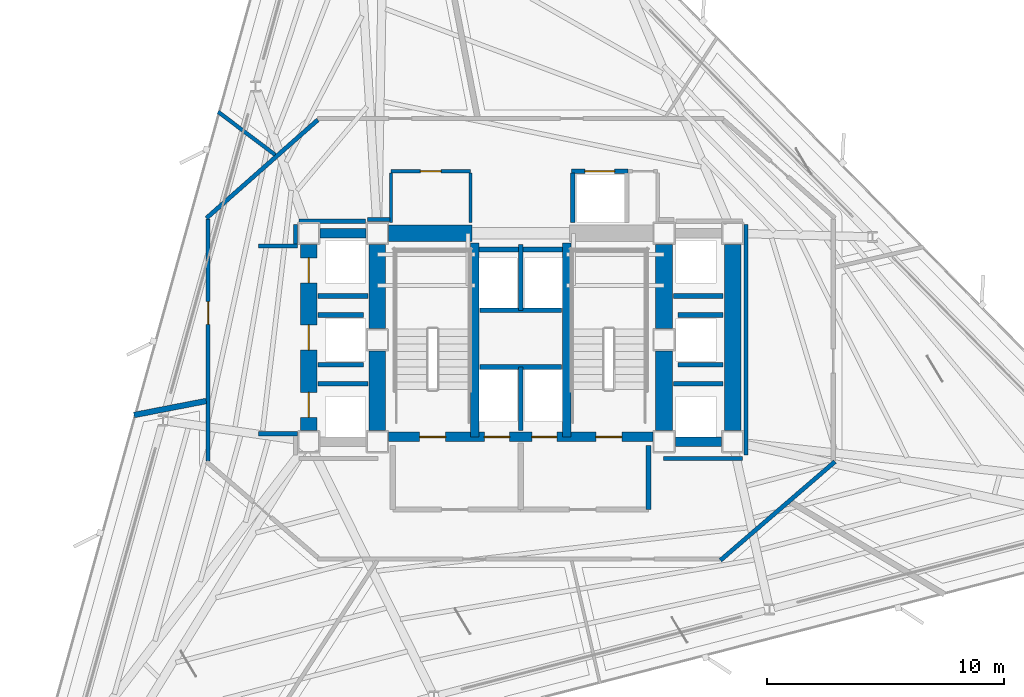
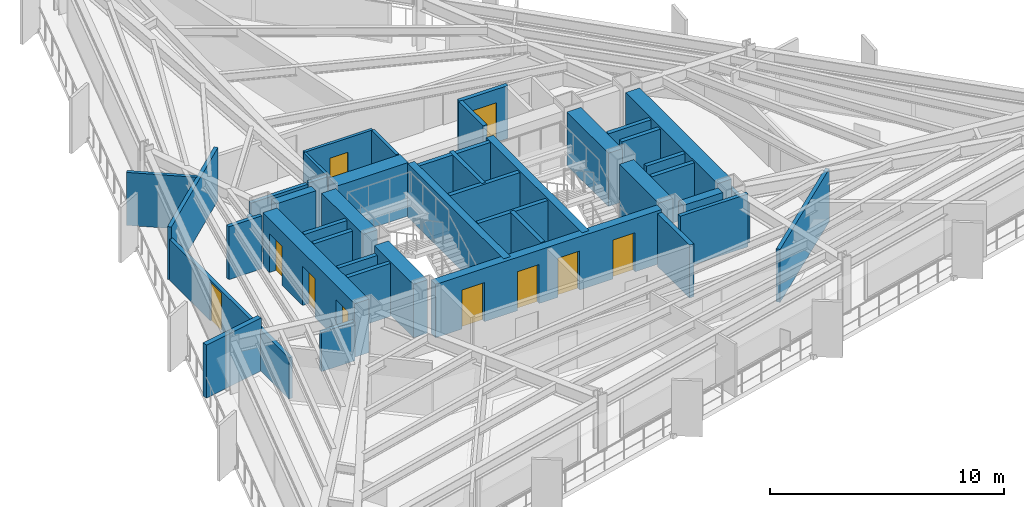
# One storey, part 7 of 11: 43 walls, 10 doors, 10 openings.
"""IFC4 building model written with IfcOpenShell, lengths in metres."""

import ifcopenshell
import ifcopenshell.guid

model = None  # the IFC model being written
_history = None  # IfcOwnerHistory: only IFC2X3 demands one
_inside = {}  # id of a spatial element -> (the spatial element, [elements in it])
_under = {}  # id of a project, library or spatial element -> (it, [spatial elements below it])
_declared = {}  # id of a project -> (the project, [libraries it declares])
_typed = {}  # id of a type object -> (the type object, [elements of that type])
_made_of = {}  # id of a material, layer set ... -> (it, [elements and type objects made of it])


def new_model(schema):
    """Start an empty IFC model of exactly this schema.

    Asked for "IFC4X3", IfcOpenShell would pick the latest addendum, in which some entities
    have other attributes; the version numbers below select the first issue.
    IFC2X3 requires an IfcOwnerHistory on every rooted entity: one is made here for all.
    """
    global model, _history
    if schema == "IFC4X3":
        model = ifcopenshell.file(schema_version=(4, 3, 0, 0))
    else:
        model = ifcopenshell.file(schema=schema)
    _inside.clear()
    _under.clear()
    _declared.clear()
    _typed.clear()
    _made_of.clear()
    _history = None
    if model.schema == "IFC2X3":
        org = make("IfcOrganization", Name="unknown")
        user = make(
            "IfcPersonAndOrganization",
            ThePerson=make("IfcPerson", FamilyName="unknown"),
            TheOrganization=org,
        )
        app = make(
            "IfcApplication",
            ApplicationDeveloper=org,
            Version="unknown",
            ApplicationFullName="unknown",
            ApplicationIdentifier="unknown",
        )
        _history = make(
            "IfcOwnerHistory",
            OwningUser=user,
            OwningApplication=app,
            ChangeAction="ADDED",
            CreationDate=0,
        )
    return model


def make(cls, **values):
    """One entity of the class cls with the attributes given. An attribute that is None is left unset."""
    return model.create_entity(
        cls, **{name: value for name, value in values.items() if value is not None}
    )


def rooted(cls, **values):
    """An entity with a GlobalId (a new one), such as an element, a storey or a relation."""
    return make(cls, GlobalId=ifcopenshell.guid.new(), OwnerHistory=_history, **values)


def si_unit(unit_type, name, prefix=None):
    """IfcSIUnit, for example si_unit("LENGTHUNIT", "METRE", prefix="MILLI")."""
    return make("IfcSIUnit", UnitType=unit_type, Prefix=prefix, Name=name)


def assignment(units):
    """IfcUnitAssignment: the units of a project."""
    return None if units is None else make("IfcUnitAssignment", Units=units)


def point(xyz):
    """IfcCartesianPoint."""
    return None if xyz is None else make("IfcCartesianPoint", Coordinates=xyz)


def direction(xyz):
    """IfcDirection."""
    return None if xyz is None else make("IfcDirection", DirectionRatios=xyz)


def frame(location, z_axis=None, x_axis=None):
    """IfcAxis2Placement3D, a coordinate frame: its origin and axes. An axis left out is left unset."""
    return make(
        "IfcAxis2Placement3D",
        Location=point(location),
        Axis=direction(z_axis),
        RefDirection=direction(x_axis),
    )


def frame_2d(location, x_axis=None):
    """IfcAxis2Placement2D, a coordinate frame in the plane: its origin and x axis."""
    return make(
        "IfcAxis2Placement2D", Location=point(location), RefDirection=direction(x_axis)
    )


def origin():
    """The frame at (0, 0, 0) with its axes left unset."""
    return frame((0.0, 0.0, 0.0))


def place(relative_to, where):
    """IfcLocalPlacement: puts the frame where relative to a parent placement (None: the world)."""
    return make(
        "IfcLocalPlacement", PlacementRelTo=relative_to, RelativePlacement=where
    )


def context(
    kind, dimensions, precision=None, world=None, true_north=None, identifier=None
):
    """IfcGeometricRepresentationContext, for example the 3D "Model" context."""
    return make(
        "IfcGeometricRepresentationContext",
        ContextIdentifier=identifier,
        ContextType=kind,
        CoordinateSpaceDimension=dimensions,
        Precision=precision,
        WorldCoordinateSystem=world,
        TrueNorth=true_north,
    )


def subcontext(parent, identifier, kind, view, scale=None):
    """IfcGeometricRepresentationSubContext, for example "Body" below "Model"."""
    return make(
        "IfcGeometricRepresentationSubContext",
        ContextIdentifier=identifier,
        ContextType=kind,
        ParentContext=parent,
        TargetScale=scale,
        TargetView=view,
    )


def project(units=None, contexts=None):
    """IfcProject with its units and contexts."""
    return rooted(
        "IfcProject",
        Name="project",
        RepresentationContexts=contexts,
        UnitsInContext=assignment(units),
    )


def spatial(cls, under=None, at=None, **own):
    """A site, building, storey or space (cls), placed at a placement, below another one or the project."""
    s = rooted(cls, ObjectPlacement=at, **own)
    if under is not None:
        _under.setdefault(under.id(), (under, []))[1].append(s)
    return s


def profile(cls, at=None, kind="AREA", **sizes):
    """A parametric profile (cls). Its sizes go by their IFC names, for example OverallWidth=200.0."""
    return make(cls, ProfileType=kind, Position=at, **sizes)


def rectangle(**sizes):
    """IfcRectangleProfileDef."""
    return profile("IfcRectangleProfileDef", **sizes)


def extrude(swept, where, along, depth):
    """IfcExtrudedAreaSolid: the profile swept, set in the frame where, extruded along a direction by depth."""
    return make(
        "IfcExtrudedAreaSolid",
        SweptArea=swept,
        Position=where,
        ExtrudedDirection=direction(along),
        Depth=depth,
    )


def shape(context_of_items, identifier, shape_type, items):
    """IfcShapeRepresentation: the items that make up one representation, for example the "Body"."""
    return make(
        "IfcShapeRepresentation",
        ContextOfItems=context_of_items,
        RepresentationIdentifier=identifier,
        RepresentationType=shape_type,
        Items=items,
    )


def material(Name=None, Category=None):
    """IfcMaterial."""
    return make("IfcMaterial", Name=Name, Category=Category)


def layer(
    of_material, thickness, ventilated=None, Name=None, Category=None, Priority=None
):
    """IfcMaterialLayer: one layer of a wall or slab, of a material (None: an air gap)."""
    return make(
        "IfcMaterialLayer",
        Material=of_material,
        LayerThickness=thickness,
        IsVentilated=ventilated,
        Name=Name,
        Category=Category,
        Priority=Priority,
    )


def layer_set(layers, Name=None):
    """IfcMaterialLayerSet."""
    return make("IfcMaterialLayerSet", MaterialLayers=layers, LayerSetName=Name)


def made_of(thing, what):
    """Note that an element or type object is made of a material, layer set ...; save() writes the relation."""
    if what is not None:
        _made_of.setdefault(what.id(), (what, []))[1].append(thing)
    return thing


def type_object(cls, material=None, **own):
    """A type object (cls), such as IfcWallType, which elements share."""
    return made_of(rooted(cls, **own), material)


def element(
    cls,
    number,
    at=None,
    inside=None,
    cuts=None,
    type_object=None,
    material=None,
    context=None,
    identifier="Body",
    shape_type=None,
    held_by="IfcProductDefinitionShape",
    body=None,
    shapes=None,
    **own,
):
    """One element of the class cls, such as IfcWall. Its Tag is "e" and its number.

    at: its placement. inside: the storey or other place that contains it. cuts: it is an
    opening in that element (IfcRelVoidsElement). A single representation is given by context,
    identifier, shape_type and body (its items); several are given by shapes. held_by: the class
    of the entity that holds the representations. save() writes the other relations.
    """
    e = rooted(cls, Tag="e%d" % number, ObjectPlacement=at, **own)
    if body is not None:
        shapes = [shape(context, identifier, shape_type, body)]
    if shapes is not None:
        e.Representation = make(held_by, Representations=shapes)
    if inside is not None:
        _inside.setdefault(inside.id(), (inside, []))[1].append(e)
    if cuts is not None:
        rooted(
            "IfcRelVoidsElement", RelatingBuildingElement=cuts, RelatedOpeningElement=e
        )
    if type_object is not None:
        _typed.setdefault(type_object.id(), (type_object, []))[1].append(e)
    return made_of(e, material)


def fill(opening, filler):
    """IfcRelFillsElement: the door or window that sits in an opening."""
    return rooted(
        "IfcRelFillsElement",
        RelatingOpeningElement=opening,
        RelatedBuildingElement=filler,
    )


def aggregate(whole, parts):
    """IfcRelAggregates: a whole, such as a stair, and the parts it consists of."""
    return rooted("IfcRelAggregates", RelatingObject=whole, RelatedObjects=parts)


def save(model, path):
    """Write the relations noted so far, then the file.

    IfcRelAggregates (storeys below a building ...), IfcRelContainedInSpatialStructure (elements
    in a storey), IfcRelDefinesByType, IfcRelAssociatesMaterial and IfcRelDeclares: one each for
    every whole, place, type object, material and project.
    """
    for whole, parts in _under.values():
        aggregate(whole, parts)
    for where, things in _inside.values():
        rooted(
            "IfcRelContainedInSpatialStructure",
            RelatedElements=things,
            RelatingStructure=where,
        )
    for kind, things in _typed.values():
        rooted("IfcRelDefinesByType", RelatedObjects=things, RelatingType=kind)
    for what, things in _made_of.values():
        rooted("IfcRelAssociatesMaterial", RelatedObjects=things, RelatingMaterial=what)
    for by, libraries in _declared.values():
        rooted("IfcRelDeclares", RelatingContext=by, RelatedDefinitions=libraries)
    model.write(path)


model = new_model("IFC4")

# Units and contexts
model_context = context("Model", 3, precision=1e-05, world=origin(), true_north=direction((0.0, 1.0)))
body_context = subcontext(model_context, "Body", "Model", "MODEL_VIEW")
ifc_project = project(units=[si_unit("LENGTHUNIT", "METRE"), si_unit("AREAUNIT", "SQUARE_METRE"), si_unit("VOLUMEUNIT", "CUBIC_METRE"), si_unit("PLANEANGLEUNIT", "RADIAN"), si_unit("MASSUNIT", "GRAM", prefix="KILO")], contexts=[model_context])

# Site, building, storey
site_placement = place(None, origin())
site = spatial("IfcSite", under=ifc_project, at=site_placement, CompositionType="ELEMENT")
building_placement = place(site_placement, origin())
building = spatial("IfcBuilding", under=site, at=building_placement, Name="Rocaltana Carrier Exchange", CompositionType="ELEMENT")
storey_placement = place(building_placement, frame((0.0, 0.0, 82.56005859375)))
storey = spatial("IfcBuildingStorey", under=building, at=storey_placement, Name="L25", CompositionType="ELEMENT", Elevation=82.56005859375)

# Walls
ifc_material_1 = material(Name="Double Acoustic Gypsum Partition", Category="gypsum")
ifc_layer_1 = layer(ifc_material_1, 0.159912109375)
ifc_layer_set_1 = layer_set([ifc_layer_1], Name="Double Acoustic Gypsum Partition")
wall_type_1 = type_object("IfcWallType", Name="Acoustic Studio Partition 160 EI60", PredefinedType="PARTITIONING", material=ifc_layer_set_1)
wall_1_placement = place(storey_placement, frame((-10.364501953125, 7.810302734375, 0.0), z_axis=(0.0, 0.0, 1.0), x_axis=(-0.79865006228, 0.601795711201, 0.0)))
element("IfcWall", 1, at=wall_1_placement, inside=storey, type_object=wall_type_1, Name="L25 Suite Divider Wall D8", PredefinedType="PARTITIONING", context=body_context, shape_type="SweptSolid", body=[
    extrude(rectangle(XDim=3.021240234375, YDim=0.159912109375, at=frame_2d((1.5107421875, 0.0))), origin(), (0.0, 0.0, 1.0), 2.762939453125),
])
ifc_material_2 = material(Name="Concrete C50/60", Category="concrete")
ifc_layer_2 = layer(ifc_material_2, 0.35009765625)
ifc_layer_set_2 = layer_set([ifc_layer_2], Name="Concrete C50/60")
wall_type_2 = type_object("IfcWallType", Name="Core Internal Shear Wall 350", PredefinedType="SHEAR", material=ifc_layer_set_2)
for number, where, z_axis, x_axis, name in (
    (2, (-1.93994140625, -4.10009765625, 0.0), (0.0, 0.0, 1.0), (0.0, 1.0, 0.0), "L25 Core Shear Wall CW-STW"),
    (3, (1.93994140625, -4.10009765625, 0.0), (0.0, 0.0, 1.0), (0.0, 1.0, 0.0), "L25 Core Shear Wall CW-STE"),
):
    element("IfcWall", number, at=place(storey_placement, frame(where, z_axis=z_axis, x_axis=x_axis)), inside=storey, type_object=wall_type_2, Name=name, PredefinedType="SHEAR", context=body_context, shape_type="SweptSolid", body=[
        extrude(rectangle(XDim=8.2001953125, YDim=0.35009765625, at=frame_2d((4.10009765625, 0.0))), origin(), (0.0, 0.0, 1.0), 2.787841796875),
    ])

# Wall, openings, doors
ifc_material_3 = material(Name="Concrete C50/60", Category="concrete")
ifc_layer_3 = layer(ifc_material_3, 0.39990234375)
ifc_layer_set_3 = layer_set([ifc_layer_3], Name="Concrete C50/60")
wall_type_3 = type_object("IfcWallType", Name="Core Internal Shear Wall 400", PredefinedType="SHEAR", material=ifc_layer_set_3)
wall_2_placement = place(storey_placement, frame((-5.574951171875, -4.10009765625, 0.0), z_axis=(0.0, 0.0, 1.0), x_axis=(1.0, 0.0, 0.0)))
wall_2 = element("IfcWall", 4, at=wall_2_placement, inside=storey, type_object=wall_type_3, Name="L25 Core Shear Wall CW-S", PredefinedType="SHEAR", context=body_context, shape_type="SweptSolid", body=[
    extrude(rectangle(XDim=11.14990234375, YDim=0.39990234375, at=frame_2d((5.574951171875, 0.0))), origin(), (0.0, 0.0, 1.0), 2.787841796875),
])
opening_1_placement = place(wall_2_placement, frame((1.304931640625, 0.0, 0.0)))
opening_1 = element("IfcOpeningElement", 5, at=opening_1_placement, cuts=wall_2, Name="Opening D-ST110", PredefinedType="OPENING", context=body_context, shape_type="SweptSolid", body=[
    extrude(rectangle(XDim=1.10009765625, YDim=2.0400390625, at=frame_2d((0.550048828125, 1.02001953125))), frame((0.0, 0.2099609375, 0.0), z_axis=(0.0, -1.0, 0.0), x_axis=(1.0, 0.0, 0.0)), (0.0, 0.0, 1.0), 0.419921875),
])
opening_2_placement = place(wall_2_placement, frame((8.7451171875, 0.0, 0.0)))
opening_2 = element("IfcOpeningElement", 6, at=opening_2_placement, cuts=wall_2, Name="Opening D-ST110", PredefinedType="OPENING", context=body_context, shape_type="SweptSolid", body=[
    extrude(rectangle(XDim=1.10009765625, YDim=2.0400390625, at=frame_2d((0.550048828125, 1.02001953125))), frame((0.0, 0.2099609375, 0.0), z_axis=(0.0, -1.0, 0.0), x_axis=(1.0, 0.0, 0.0)), (0.0, 0.0, 1.0), 0.419921875),
])
opening_3_placement = place(wall_2_placement, frame((4.044921875, 0.0, 0.0)))
opening_3 = element("IfcOpeningElement", 7, at=opening_3_placement, cuts=wall_2, Name="Opening LD-110", PredefinedType="OPENING", context=body_context, shape_type="SweptSolid", body=[
    extrude(rectangle(XDim=1.06005859375, YDim=2.0400390625, at=frame_2d((0.530029296875, 1.02001953125))), frame((0.0, 0.2099609375, 0.0), z_axis=(0.0, -1.0, 0.0), x_axis=(1.0, 0.0, 0.0)), (0.0, 0.0, 1.0), 0.419921875),
])
opening_4_placement = place(wall_2_placement, frame((6.044921875, 0.0, 0.0)))
opening_4 = element("IfcOpeningElement", 8, at=opening_4_placement, cuts=wall_2, Name="Opening LD-110", PredefinedType="OPENING", context=body_context, shape_type="SweptSolid", body=[
    extrude(rectangle(XDim=1.06005859375, YDim=2.0400390625, at=frame_2d((0.530029296875, 1.02001953125))), frame((0.0, 0.2099609375, 0.0), z_axis=(0.0, -1.0, 0.0), x_axis=(1.0, 0.0, 0.0)), (0.0, 0.0, 1.0), 0.419921875),
])
ifc_material_4 = material(Name="Hollow Metal Fire Door Assembly", Category="steel")
door_type_1 = type_object("IfcDoorType", Name="Exit Stair Fire Door 1100x2040 FD90S", OperationType="NOTDEFINED", PredefinedType="DOOR", material=ifc_material_4)
door_1_placement = place(opening_1_placement, origin())
door_1 = element("IfcDoor", 9, at=door_1_placement, inside=storey, type_object=door_type_1, Name="L25 Exit Stair ST1 Fire Door", OperationType="SINGLE_SWING_RIGHT", OverallHeight=2.0400390625, OverallWidth=1.10009765625, PredefinedType="DOOR", context=body_context, shape_type="SweptSolid", body=[
    extrude(rectangle(XDim=1.10009765625, YDim=2.0400390625, at=frame_2d((0.550048828125, 1.02001953125))), frame((0.0, 0.02490234375, 0.0), z_axis=(0.0, -1.0, 0.0), x_axis=(1.0, 0.0, 0.0)), (0.0, 0.0, 1.0), 0.050048828125),
])
fill(opening_1, door_1)
door_2_placement = place(opening_2_placement, origin())
door_2 = element("IfcDoor", 10, at=door_2_placement, inside=storey, type_object=door_type_1, Name="L25 Exit Stair ST2 Fire Door", OperationType="SINGLE_SWING_LEFT", OverallHeight=2.0400390625, OverallWidth=1.10009765625, PredefinedType="DOOR", context=body_context, shape_type="SweptSolid", body=[
    extrude(rectangle(XDim=1.10009765625, YDim=2.0400390625, at=frame_2d((0.550048828125, 1.02001953125))), frame((0.0, 0.02490234375, 0.0), z_axis=(0.0, -1.0, 0.0), x_axis=(1.0, 0.0, 0.0)), (0.0, 0.0, 1.0), 0.050048828125),
])
fill(opening_2, door_2)
ifc_material_5 = material(Name="Brushed Stainless Sliding Door Leaf", Category="steel")
door_type_2 = type_object("IfcDoorType", Name="Lift Landing Sliding Door 1060x2040", OperationType="NOTDEFINED", PredefinedType="DOOR", material=ifc_material_5)
door_3_placement = place(opening_3_placement, origin())
door_3 = element("IfcDoor", 11, at=door_3_placement, inside=storey, type_object=door_type_2, Name="L25 Firefighting Lift FFL1 Landing Door", OperationType="SLIDING_TO_LEFT", OverallHeight=2.0400390625, OverallWidth=1.06005859375, PredefinedType="DOOR", context=body_context, shape_type="SweptSolid", body=[
    extrude(rectangle(XDim=1.06005859375, YDim=2.0400390625, at=frame_2d((0.530029296875, 1.02001953125))), frame((0.0, 0.02490234375, 0.0), z_axis=(0.0, -1.0, 0.0), x_axis=(1.0, 0.0, 0.0)), (0.0, 0.0, 1.0), 0.050048828125),
])
fill(opening_3, door_3)
door_4_placement = place(opening_4_placement, origin())
door_4 = element("IfcDoor", 12, at=door_4_placement, inside=storey, type_object=door_type_2, Name="L25 Firefighting Lift FFL2 Landing Door", OperationType="SLIDING_TO_RIGHT", OverallHeight=2.0400390625, OverallWidth=1.06005859375, PredefinedType="DOOR", context=body_context, shape_type="SweptSolid", body=[
    extrude(rectangle(XDim=1.06005859375, YDim=2.0400390625, at=frame_2d((0.530029296875, 1.02001953125))), frame((0.0, 0.02490234375, 0.0), z_axis=(0.0, -1.0, 0.0), x_axis=(1.0, 0.0, 0.0)), (0.0, 0.0, 1.0), 0.050048828125),
])
fill(opening_4, door_4)

# Walls
for number, where, z_axis, x_axis, name in (
    (13, (-8.47509765625, 4.5, 0.0), (0.0, 0.0, 1.0), (1.0, 0.0, 0.0), "L25 Core Shear Wall CW-WWN"),
    (14, (6.52490234375, -4.300048828125, 0.0), (0.0, 0.0, 1.0), (1.0, 0.0, 0.0), "L25 Core Shear Wall CW-EWS"),
):
    element("IfcWall", number, at=place(storey_placement, frame(where, z_axis=z_axis, x_axis=x_axis)), inside=storey, type_object=wall_type_3, Name=name, PredefinedType="SHEAR", context=body_context, shape_type="SweptSolid", body=[
        extrude(rectangle(XDim=1.9501953125, YDim=0.39990234375, at=frame_2d((0.97509765625, 0.0))), origin(), (0.0, 0.0, 1.0), 2.787841796875),
    ])
ifc_material_6 = material(Name="Concrete C60/75", Category="concrete")
ifc_layer_4 = layer(ifc_material_6, 0.699951171875)
ifc_layer_set_4 = layer_set([ifc_layer_4], Name="Concrete C60/75")
wall_type_4 = type_object("IfcWallType", Name="Core Shear Wall 700", PredefinedType="SHEAR", material=ifc_layer_set_4)
wall_3_placement = place(storey_placement, frame((-6.050048828125, 0.47509765625, 0.0), z_axis=(0.0, 0.0, 1.0), x_axis=(0.0, 1.0, 0.0)))
element("IfcWall", 15, at=wall_3_placement, inside=storey, type_object=wall_type_4, Name="L25 Core Shear Wall CW-WN", PredefinedType="SHEAR", context=body_context, shape_type="SweptSolid", body=[
    extrude(rectangle(XDim=3.5498046875, YDim=0.699951171875, at=frame_2d((1.77490234375, 0.0))), origin(), (0.0, 0.0, 1.0), 2.787841796875),
])
wall_4_placement = place(storey_placement, frame((-6.050048828125, -3.824951171875, 0.0), z_axis=(0.0, 0.0, 1.0), x_axis=(0.0, 1.0, 0.0)))
element("IfcWall", 16, at=wall_4_placement, inside=storey, type_object=wall_type_4, Name="L25 Core Shear Wall CW-WS", PredefinedType="SHEAR", context=body_context, shape_type="SweptSolid", body=[
    extrude(rectangle(XDim=3.349853515625, YDim=0.699951171875, at=frame_2d((1.6748046875, 0.0))), origin(), (0.0, 0.0, 1.0), 2.787841796875),
])
wall_5_placement = place(storey_placement, frame((6.050048828125, 0.47509765625, 0.0), z_axis=(0.0, 0.0, 1.0), x_axis=(0.0, 1.0, 0.0)))
element("IfcWall", 17, at=wall_5_placement, inside=storey, type_object=wall_type_4, Name="L25 Core Shear Wall CW-EN", PredefinedType="SHEAR", context=body_context, shape_type="SweptSolid", body=[
    extrude(rectangle(XDim=3.5498046875, YDim=0.699951171875, at=frame_2d((1.77490234375, 0.0))), origin(), (0.0, 0.0, 1.0), 2.787841796875),
])
wall_6_placement = place(storey_placement, frame((6.050048828125, -3.824951171875, 0.0), z_axis=(0.0, 0.0, 1.0), x_axis=(0.0, 1.0, 0.0)))
element("IfcWall", 18, at=wall_6_placement, inside=storey, type_object=wall_type_4, Name="L25 Core Shear Wall CW-ES", PredefinedType="SHEAR", context=body_context, shape_type="SweptSolid", body=[
    extrude(rectangle(XDim=3.349853515625, YDim=0.699951171875, at=frame_2d((1.6748046875, 0.0))), origin(), (0.0, 0.0, 1.0), 2.787841796875),
])
wall_7_placement = place(storey_placement, frame((-5.574951171875, 4.5, 0.0), z_axis=(0.0, 0.0, 1.0), x_axis=(1.0, 0.0, 0.0)))
element("IfcWall", 19, at=wall_7_placement, inside=storey, type_object=wall_type_4, Name="L25 Core Shear Wall CW-N1", PredefinedType="SHEAR", context=body_context, shape_type="SweptSolid", body=[
    extrude(rectangle(XDim=3.52490234375, YDim=0.699951171875, at=frame_2d((1.762451171875, 0.0))), origin(), (0.0, 0.0, 1.0), 2.787841796875),
])

# Wall, openings, doors
wall_8_placement = place(storey_placement, frame((-8.949951171875, -3.824951171875, 0.0), z_axis=(0.0, 0.0, 1.0), x_axis=(0.0, 1.0, 0.0)))
wall_8 = element("IfcWall", 20, at=wall_8_placement, inside=storey, type_object=wall_type_4, Name="L25 Core Shear Wall CW-WW", PredefinedType="SHEAR", context=body_context, shape_type="SweptSolid", body=[
    extrude(rectangle(XDim=7.849853515625, YDim=0.699951171875, at=frame_2d((3.9248046875, 0.0))), origin(), (0.0, 0.0, 1.0), 2.787841796875),
])
opening_5_placement = place(wall_8_placement, frame((0.550048828125, 0.0, 0.0)))
opening_5 = element("IfcOpeningElement", 21, at=opening_5_placement, cuts=wall_8, Name="Opening LD-110", PredefinedType="OPENING", context=body_context, shape_type="SweptSolid", body=[
    extrude(rectangle(XDim=1.06005859375, YDim=2.0400390625, at=frame_2d((0.530029296875, 1.02001953125))), frame((0.0, 0.35986328125, 0.0), z_axis=(0.0, -1.0, 0.0), x_axis=(1.0, 0.0, 0.0)), (0.0, 0.0, 1.0), 0.719970703125),
])
opening_6_placement = place(wall_8_placement, frame((3.39501953125, 0.0, 0.0)))
opening_6 = element("IfcOpeningElement", 22, at=opening_6_placement, cuts=wall_8, Name="Opening LD-110", PredefinedType="OPENING", context=body_context, shape_type="SweptSolid", body=[
    extrude(rectangle(XDim=1.06005859375, YDim=2.0400390625, at=frame_2d((0.530029296875, 1.02001953125))), frame((0.0, 0.35986328125, 0.0), z_axis=(0.0, -1.0, 0.0), x_axis=(1.0, 0.0, 0.0)), (0.0, 0.0, 1.0), 0.719970703125),
])
opening_7_placement = place(wall_8_placement, frame((6.22998046875, 0.0, 0.0)))
opening_7 = element("IfcOpeningElement", 23, at=opening_7_placement, cuts=wall_8, Name="Opening LD-110", PredefinedType="OPENING", context=body_context, shape_type="SweptSolid", body=[
    extrude(rectangle(XDim=1.06005859375, YDim=2.0400390625, at=frame_2d((0.530029296875, 1.02001953125))), frame((0.0, 0.35986328125, 0.0), z_axis=(0.0, -1.0, 0.0), x_axis=(1.0, 0.0, 0.0)), (0.0, 0.0, 1.0), 0.719970703125),
])
door_5_placement = place(opening_5_placement, origin())
door_5 = element("IfcDoor", 24, at=door_5_placement, inside=storey, type_object=door_type_2, Name="L25 Low-Rise Lift PL-L1 Landing Door", OperationType="SLIDING_TO_LEFT", OverallHeight=2.0400390625, OverallWidth=1.06005859375, PredefinedType="DOOR", context=body_context, shape_type="SweptSolid", body=[
    extrude(rectangle(XDim=1.06005859375, YDim=2.0400390625, at=frame_2d((0.530029296875, 1.02001953125))), frame((0.0, 0.02490234375, 0.0), z_axis=(0.0, -1.0, 0.0), x_axis=(1.0, 0.0, 0.0)), (0.0, 0.0, 1.0), 0.050048828125),
])
fill(opening_5, door_5)
door_6_placement = place(opening_6_placement, origin())
door_6 = element("IfcDoor", 25, at=door_6_placement, inside=storey, type_object=door_type_2, Name="L25 Low-Rise Lift PL-L2 Landing Door", OperationType="SLIDING_TO_RIGHT", OverallHeight=2.0400390625, OverallWidth=1.06005859375, PredefinedType="DOOR", context=body_context, shape_type="SweptSolid", body=[
    extrude(rectangle(XDim=1.06005859375, YDim=2.0400390625, at=frame_2d((0.530029296875, 1.02001953125))), frame((0.0, 0.02490234375, 0.0), z_axis=(0.0, -1.0, 0.0), x_axis=(1.0, 0.0, 0.0)), (0.0, 0.0, 1.0), 0.050048828125),
])
fill(opening_6, door_6)
door_7_placement = place(opening_7_placement, origin())
door_7 = element("IfcDoor", 26, at=door_7_placement, inside=storey, type_object=door_type_2, Name="L25 Low-Rise Lift PL-L3 Landing Door", OperationType="SLIDING_TO_LEFT", OverallHeight=2.0400390625, OverallWidth=1.06005859375, PredefinedType="DOOR", context=body_context, shape_type="SweptSolid", body=[
    extrude(rectangle(XDim=1.06005859375, YDim=2.0400390625, at=frame_2d((0.530029296875, 1.02001953125))), frame((0.0, 0.02490234375, 0.0), z_axis=(0.0, -1.0, 0.0), x_axis=(1.0, 0.0, 0.0)), (0.0, 0.0, 1.0), 0.050048828125),
])
fill(opening_7, door_7)

# Walls
wall_9_placement = place(storey_placement, frame((8.949951171875, -3.824951171875, 0.0), z_axis=(0.0, 0.0, 1.0), x_axis=(0.0, 1.0, 0.0)))
element("IfcWall", 27, at=wall_9_placement, inside=storey, type_object=wall_type_4, Name="L25 Core Shear Wall CW-EW", PredefinedType="SHEAR", context=body_context, shape_type="SweptSolid", body=[
    extrude(rectangle(XDim=7.849853515625, YDim=0.699951171875, at=frame_2d((3.9248046875, 0.0))), origin(), (0.0, 0.0, 1.0), 2.787841796875),
])
ifc_material_7 = material(Name="Gypsum & Steel Stud Partition", Category="steel")
ifc_layer_5 = layer(ifc_material_7, 0.179931640625)
ifc_layer_set_5 = layer_set([ifc_layer_5], Name="Gypsum & Steel Stud Partition")
wall_type_5 = type_object("IfcWallType", Name="Corridor Fire Partition 180 EI60", PredefinedType="PARTITIONING", material=ifc_layer_set_5)
wall_10_placement = place(storey_placement, frame((13.268310546875, -5.14111328125, 0.0), z_axis=(0.0, 0.0, 1.0), x_axis=(-0.757534501725, -0.65279512766, 0.0)))
element("IfcWall", 28, at=wall_10_placement, inside=storey, type_object=wall_type_5, Name="L25 Corridor Partition 4", PredefinedType="PARTITIONING", context=body_context, shape_type="SweptSolid", body=[
    extrude(rectangle(XDim=6.384521484375, YDim=0.179931640625, at=frame_2d((3.1923828125, 0.0))), origin(), (0.0, 0.0, 1.0), 2.762939453125),
])

# Wall, opening, door
wall_11_placement = place(storey_placement, frame((-13.199951171875, -5.110107421875, 0.0), z_axis=(0.0, 0.0, 1.0), x_axis=(0.0, 1.0, 0.0)))
wall_11 = element("IfcWall", 29, at=wall_11_placement, inside=storey, type_object=wall_type_5, Name="L25 Corridor Partition 7", PredefinedType="PARTITIONING", context=body_context, shape_type="SweptSolid", body=[
    extrude(rectangle(XDim=10.22021484375, YDim=0.179931640625, at=frame_2d((5.110107421875, 0.0))), origin(), (0.0, 0.0, 1.0), 2.142822265625),
])
opening_8_placement = place(wall_11_placement, frame((5.764892578125, 0.0, 0.0)))
opening_8 = element("IfcOpeningElement", 30, at=opening_8_placement, cuts=wall_11, Name="Opening D-RM098", PredefinedType="OPENING", context=body_context, shape_type="SweptSolid", body=[
    extrude(rectangle(XDim=0.9599609375, YDim=2.02001953125, at=frame_2d((0.47998046875, 1.010009765625))), frame((0.0, 0.099853515625, 0.0), z_axis=(0.0, -1.0, 0.0), x_axis=(1.0, 0.0, 0.0)), (0.0, 0.0, 1.0), 0.199951171875),
])
ifc_material_8 = material(Name="Engineered Hardwood Timber", Category="wood")
door_type_3 = type_object("IfcDoorType", Name="Workspace Single Door 960x2020", OperationType="NOTDEFINED", PredefinedType="DOOR", material=ifc_material_8)
door_8_placement = place(opening_8_placement, origin())
door_8 = element("IfcDoor", 31, at=door_8_placement, inside=storey, type_object=door_type_3, Name="L25 Incident Briefing Room Entrance Door", OperationType="SINGLE_SWING_LEFT", OverallHeight=2.02001953125, OverallWidth=0.9599609375, PredefinedType="DOOR", context=body_context, shape_type="SweptSolid", body=[
    extrude(rectangle(XDim=0.9599609375, YDim=2.02001953125, at=frame_2d((0.47998046875, 1.010009765625))), frame((0.0, 0.02490234375, 0.0), z_axis=(0.0, -1.0, 0.0), x_axis=(1.0, 0.0, 0.0)), (0.0, 0.0, 1.0), 0.050048828125),
])
fill(opening_8, door_8)

# Walls
wall_12_placement = place(storey_placement, frame((-13.267578125, 5.140380859375, 0.0), z_axis=(0.0, 0.0, 1.0), x_axis=(0.749626463267, 0.66186113768, 0.0)))
element("IfcWall", 32, at=wall_12_placement, inside=storey, type_object=wall_type_5, Name="L25 Corridor Partition 8", PredefinedType="PARTITIONING", context=body_context, shape_type="SweptSolid", body=[
    extrude(rectangle(XDim=6.27001953125, YDim=0.179931640625, at=frame_2d((3.135009765625, 0.0))), origin(), (0.0, 0.0, 1.0), 2.762939453125),
])
wall_13_placement = place(storey_placement, frame((-9.510009765625, 4.8701171875, 0.0), z_axis=(0.0, 0.0, 1.0), x_axis=(0.0, -1.0, 0.0)))
element("IfcWall", 33, at=wall_13_placement, inside=storey, type_object=wall_type_5, Name="L25 Corridor Partition 9", PredefinedType="PARTITIONING", context=body_context, shape_type="SweptSolid", body=[
    extrude(rectangle(XDim=0.820068359375, YDim=0.179931640625, at=frame_2d((0.41015625, 0.0))), origin(), (0.0, 0.0, 1.0), 2.27685546875),
])
wall_14_placement = place(storey_placement, frame((-9.419921875, 3.9599609375, 0.0), z_axis=(0.0, 0.0, 1.0), x_axis=(-1.0, 0.0, 0.0)))
element("IfcWall", 34, at=wall_14_placement, inside=storey, type_object=wall_type_5, Name="L25 Corridor Partition 10", PredefinedType="PARTITIONING", context=body_context, shape_type="SweptSolid", body=[
    extrude(rectangle(XDim=1.650146484375, YDim=0.179931640625, at=frame_2d((0.8251953125, 0.0))), origin(), (0.0, 0.0, 1.0), 2.762939453125),
])
wall_15_placement = place(storey_placement, frame((-11.070068359375, -3.9599609375, 0.0), z_axis=(0.0, 0.0, 1.0), x_axis=(1.0, 0.0, 0.0)))
element("IfcWall", 35, at=wall_15_placement, inside=storey, type_object=wall_type_5, Name="L25 Corridor Partition 11", PredefinedType="PARTITIONING", context=body_context, shape_type="SweptSolid", body=[
    extrude(rectangle(XDim=1.650146484375, YDim=0.179931640625, at=frame_2d((0.8251953125, 0.0))), origin(), (0.0, 0.0, 1.0), 2.0478515625),
])
wall_16_placement = place(storey_placement, frame((6.030029296875, -5.010009765625, 0.0), z_axis=(0.0, 0.0, 1.0), x_axis=(1.0, 0.0, 0.0)))
element("IfcWall", 36, at=wall_16_placement, inside=storey, type_object=wall_type_5, Name="L25 Corridor Partition 16", PredefinedType="PARTITIONING", context=body_context, shape_type="SweptSolid", body=[
    extrude(rectangle(XDim=3.340087890625, YDim=0.179931640625, at=frame_2d((1.669921875, 0.0))), origin(), (0.0, 0.0, 1.0), 2.762939453125),
])
wall_17_placement = place(storey_placement, frame((9.510009765625, -4.8701171875, 0.0), z_axis=(0.0, 0.0, 1.0), x_axis=(0.0, 1.0, 0.0)))
element("IfcWall", 37, at=wall_17_placement, inside=storey, type_object=wall_type_5, Name="L25 Corridor Partition 17", PredefinedType="PARTITIONING", context=body_context, shape_type="SweptSolid", body=[
    extrude(rectangle(XDim=9.740234375, YDim=0.179931640625, at=frame_2d((4.8701171875, 0.0))), origin(), (0.0, 0.0, 1.0), 2.0478515625),
])
wall_18_placement = place(storey_placement, frame((-5.52001953125, 5.080078125, 0.0), z_axis=(0.0, 0.0, 1.0), x_axis=(-1.0, 0.0, 0.0)))
element("IfcWall", 38, at=wall_18_placement, inside=storey, type_object=wall_type_5, Name="L25 Corridor Partition 22", PredefinedType="PARTITIONING", context=body_context, shape_type="SweptSolid", body=[
    extrude(rectangle(XDim=0.949951171875, YDim=0.179931640625, at=frame_2d((0.47509765625, 0.0))), origin(), (0.0, 0.0, 1.0), 2.762939453125),
])
wall_19_placement = place(storey_placement, frame((-6.562255859375, 5.010009765625, 0.0), z_axis=(0.0, 0.0, 1.0), x_axis=(-1.0, 0.0, 0.0)))
element("IfcWall", 39, at=wall_19_placement, inside=storey, type_object=wall_type_5, Name="L25 Corridor Partition 23", PredefinedType="PARTITIONING", context=body_context, shape_type="SweptSolid", body=[
    extrude(rectangle(XDim=2.807861328125, YDim=0.179931640625, at=frame_2d((1.40380859375, 0.0))), origin(), (0.0, 0.0, 1.0), 2.762939453125),
])
ifc_material_9 = material(Name="Autoclaved Aerated Concrete C30/37", Category="concrete")
ifc_layer_6 = layer(ifc_material_9, 0.219970703125)
ifc_layer_set_6 = layer_set([ifc_layer_6], Name="Autoclaved Aerated Concrete C30/37")
wall_type_6 = type_object("IfcWallType", Name="Firefighting Lobby Wall 220 EI120", PredefinedType="PARTITIONING", material=ifc_layer_set_6)
wall_20_placement = place(storey_placement, frame((5.39990234375, -7.159912109375, 0.0), z_axis=(0.0, 0.0, 1.0), x_axis=(0.0, 1.0, 0.0)))
element("IfcWall", 40, at=wall_20_placement, inside=storey, type_object=wall_type_6, Name="L25 FFL Lobby 2 East Wall", PredefinedType="PARTITIONING", context=body_context, shape_type="SweptSolid", body=[
    extrude(rectangle(XDim=2.7099609375, YDim=0.219970703125, at=frame_2d((1.35498046875, 0.0))), origin(), (0.0, 0.0, 1.0), 2.762939453125),
])
ifc_material_10 = material(Name="Acoustic Calcium Silicate Partition", Category="gypsum")
ifc_layer_7 = layer(ifc_material_10, 0.239990234375)
ifc_layer_set_7 = layer_set([ifc_layer_7], Name="Acoustic Calcium Silicate Partition")
wall_type_7 = type_object("IfcWallType", Name="Heavy Lab Partition 240 EI90", PredefinedType="PARTITIONING", material=ifc_layer_set_7)
wall_21_placement = place(storey_placement, frame((-13.280029296875, -2.581298828125, 0.0), z_axis=(0.0, 0.0, 1.0), x_axis=(-0.98161907283, -0.190850716155, 0.0)))
element("IfcWall", 41, at=wall_21_placement, inside=storey, type_object=wall_type_7, Name="L25 Suite Divider Wall D1", PredefinedType="PARTITIONING", context=body_context, shape_type="SweptSolid", body=[
    extrude(rectangle(XDim=3.104736328125, YDim=0.239990234375, at=frame_2d((1.55224609375, 0.0))), origin(), (0.0, 0.0, 1.0), 2.762939453125),
])
ifc_material_11 = material(Name="Reinforced Concrete Block C35/45", Category="concrete")
ifc_layer_8 = layer(ifc_material_11, 0.199951171875)
ifc_layer_set_8 = layer_set([ifc_layer_8], Name="Reinforced Concrete Block C35/45")
wall_type_8 = type_object("IfcWallType", Name="Lift Hoistway Enclosure Wall 200 EI120", PredefinedType="PARTITIONING", material=ifc_layer_set_8)
wall_22_placement = place(storey_placement, frame((0.0, -3.820068359375, 0.0), z_axis=(0.0, 0.0, 1.0), x_axis=(0.0, 1.0, 0.0)))
element("IfcWall", 42, at=wall_22_placement, inside=storey, type_object=wall_type_8, Name="L25 FFL Shaft Divider", PredefinedType="PARTITIONING", context=body_context, shape_type="SweptSolid", body=[
    extrude(rectangle(XDim=2.670166015625, YDim=0.199951171875, at=frame_2d((1.3349609375, 0.0))), origin(), (0.0, 0.0, 1.0), 2.762939453125),
])
wall_23_placement = place(storey_placement, frame((-1.719970703125, -1.14990234375, 0.0), z_axis=(0.0, 0.0, 1.0), x_axis=(1.0, 0.0, 0.0)))
element("IfcWall", 43, at=wall_23_placement, inside=storey, type_object=wall_type_8, Name="L25 FFL Shaft Back Wall", PredefinedType="PARTITIONING", context=body_context, shape_type="SweptSolid", body=[
    extrude(rectangle(XDim=3.43994140625, YDim=0.199951171875, at=frame_2d((1.719970703125, 0.0))), origin(), (0.0, 0.0, 1.0), 2.762939453125),
])
wall_24_placement = place(storey_placement, frame((0.0, 1.25, 0.0), z_axis=(0.0, 0.0, 1.0), x_axis=(0.0, 1.0, 0.0)))
element("IfcWall", 44, at=wall_24_placement, inside=storey, type_object=wall_type_8, Name="L25 High-Rise Shaft Divider", PredefinedType="PARTITIONING", context=body_context, shape_type="SweptSolid", body=[
    extrude(rectangle(XDim=2.77001953125, YDim=0.199951171875, at=frame_2d((1.385009765625, 0.0))), origin(), (0.0, 0.0, 1.0), 2.762939453125),
])
wall_25_placement = place(storey_placement, frame((-1.719970703125, 1.25, 0.0), z_axis=(0.0, 0.0, 1.0), x_axis=(1.0, 0.0, 0.0)))
element("IfcWall", 45, at=wall_25_placement, inside=storey, type_object=wall_type_8, Name="L25 High-Rise Shaft Back Wall", PredefinedType="PARTITIONING", context=body_context, shape_type="SweptSolid", body=[
    extrude(rectangle(XDim=3.43994140625, YDim=0.199951171875, at=frame_2d((1.719970703125, 0.0))), origin(), (0.0, 0.0, 1.0), 2.762939453125),
])
wall_26_placement = place(storey_placement, frame((-1.760009765625, 3.820068359375, 0.0), z_axis=(0.0, 0.0, 1.0), x_axis=(1.0, 0.0, 0.0)))
element("IfcWall", 46, at=wall_26_placement, inside=storey, type_object=wall_type_8, Name="L25 High-Rise Lift Front Wall", PredefinedType="PARTITIONING", context=body_context, shape_type="SweptSolid", body=[
    extrude(rectangle(XDim=3.52001953125, YDim=0.199951171875, at=frame_2d((1.760009765625, 0.0))), origin(), (0.0, 0.0, 1.0), 2.762939453125),
])
wall_27_placement = place(storey_placement, frame((2.199951171875, 4.949951171875, 0.0), z_axis=(0.0, 0.0, 1.0), x_axis=(0.0, 1.0, 0.0)))
element("IfcWall", 47, at=wall_27_placement, inside=storey, type_object=wall_type_8, Name="L25 Goods Lift West Wall", PredefinedType="PARTITIONING", context=body_context, shape_type="SweptSolid", body=[
    extrude(rectangle(XDim=2.10009765625, YDim=0.199951171875, at=frame_2d((1.050048828125, 0.0))), origin(), (0.0, 0.0, 1.0), 2.762939453125),
])

# Wall, opening, door
wall_28_placement = place(storey_placement, frame((2.14990234375, 7.1201171875, 0.0), z_axis=(0.0, 0.0, 1.0), x_axis=(1.0, 0.0, 0.0)))
wall_28 = element("IfcWall", 48, at=wall_28_placement, inside=storey, type_object=wall_type_8, Name="L25 Goods Lift Front Wall", PredefinedType="PARTITIONING", context=body_context, shape_type="SweptSolid", body=[
    extrude(rectangle(XDim=2.380126953125, YDim=0.199951171875, at=frame_2d((1.18994140625, 0.0))), origin(), (0.0, 0.0, 1.0), 2.762939453125),
])
opening_9_placement = place(wall_28_placement, frame((0.56005859375, 0.0, 0.0)))
opening_9 = element("IfcOpeningElement", 49, at=opening_9_placement, cuts=wall_28, Name="Opening LD-130", PredefinedType="OPENING", context=body_context, shape_type="SweptSolid", body=[
    extrude(rectangle(XDim=1.260009765625, YDim=2.06005859375, at=frame_2d((0.6298828125, 1.030029296875))), frame((0.0, 0.10986328125, 0.0), z_axis=(0.0, -1.0, 0.0), x_axis=(1.0, 0.0, 0.0)), (0.0, 0.0, 1.0), 0.219970703125),
])
ifc_material_12 = material(Name="Brushed Stainless Sliding Door Leaf", Category="steel")
door_type_4 = type_object("IfcDoorType", Name="Goods Lift Landing Sliding Door 1260x2060", OperationType="NOTDEFINED", PredefinedType="DOOR", material=ifc_material_12)
door_9_placement = place(opening_9_placement, origin())
door_9 = element("IfcDoor", 50, at=door_9_placement, inside=storey, type_object=door_type_4, Name="L25 Goods Lift GL-1 Landing Door", OperationType="SLIDING_TO_LEFT", OverallHeight=2.06005859375, OverallWidth=1.260009765625, PredefinedType="DOOR", context=body_context, shape_type="SweptSolid", body=[
    extrude(rectangle(XDim=1.260009765625, YDim=2.06005859375, at=frame_2d((0.6298828125, 1.030029296875))), frame((0.0, 0.02490234375, 0.0), z_axis=(0.0, -1.0, 0.0), x_axis=(1.0, 0.0, 0.0)), (0.0, 0.0, 1.0), 0.050048828125),
])
fill(opening_9, door_9)

# Walls
for number, where, z_axis, x_axis, name in (
    (51, (-8.550048828125, -1.85009765625, 0.0), (0.0, 0.0, 1.0), (1.0, 0.0, 0.0), "L25 Low-Rise Shaft Divider 1"),
    (52, (-8.550048828125, 1.85009765625, 0.0), (0.0, 0.0, 1.0), (1.0, 0.0, 0.0), "L25 Low-Rise Shaft Divider 2"),
):
    element("IfcWall", number, at=place(storey_placement, frame(where, z_axis=z_axis, x_axis=x_axis)), inside=storey, type_object=wall_type_8, Name=name, PredefinedType="PARTITIONING", context=body_context, shape_type="SweptSolid", body=[
        extrude(rectangle(XDim=2.10009765625, YDim=0.199951171875, at=frame_2d((1.050048828125, 0.0))), origin(), (0.0, 0.0, 1.0), 2.762939453125),
    ])
for number, where, z_axis, x_axis, name in (
    (53, (-8.550048828125, -1.050048828125, 0.0), (0.0, 0.0, 1.0), (1.0, 0.0, 0.0), "L25 Low-Rise Center Shaft Wall South"),
    (54, (-8.550048828125, 1.050048828125, 0.0), (0.0, 0.0, 1.0), (1.0, 0.0, 0.0), "L25 Low-Rise Center Shaft Wall North"),
):
    element("IfcWall", number, at=place(storey_placement, frame(where, z_axis=z_axis, x_axis=x_axis)), inside=storey, type_object=wall_type_8, Name=name, PredefinedType="PARTITIONING", context=body_context, shape_type="SweptSolid", body=[
        extrude(rectangle(XDim=1.91015625, YDim=0.199951171875, at=frame_2d((0.955078125, 0.0))), origin(), (0.0, 0.0, 1.0), 2.762939453125),
    ])
for number, where, z_axis, x_axis, name in (
    (55, (6.449951171875, -1.85009765625, 0.0), (0.0, 0.0, 1.0), (1.0, 0.0, 0.0), "L25 Mid-Rise Shaft Divider 1"),
    (56, (6.449951171875, 1.85009765625, 0.0), (0.0, 0.0, 1.0), (1.0, 0.0, 0.0), "L25 Mid-Rise Shaft Divider 2"),
):
    element("IfcWall", number, at=place(storey_placement, frame(where, z_axis=z_axis, x_axis=x_axis)), inside=storey, type_object=wall_type_8, Name=name, PredefinedType="PARTITIONING", context=body_context, shape_type="SweptSolid", body=[
        extrude(rectangle(XDim=2.10009765625, YDim=0.199951171875, at=frame_2d((1.050048828125, 0.0))), origin(), (0.0, 0.0, 1.0), 2.762939453125),
    ])
for number, where, z_axis, x_axis, name in (
    (57, (6.639892578125, -1.050048828125, 0.0), (0.0, 0.0, 1.0), (1.0, 0.0, 0.0), "L25 Mid-Rise Center Shaft Wall South"),
    (58, (6.639892578125, 1.050048828125, 0.0), (0.0, 0.0, 1.0), (1.0, 0.0, 0.0), "L25 Mid-Rise Center Shaft Wall North"),
):
    element("IfcWall", number, at=place(storey_placement, frame(where, z_axis=z_axis, x_axis=x_axis)), inside=storey, type_object=wall_type_8, Name=name, PredefinedType="PARTITIONING", context=body_context, shape_type="SweptSolid", body=[
        extrude(rectangle(XDim=1.91015625, YDim=0.199951171875, at=frame_2d((0.955078125, 0.0))), origin(), (0.0, 0.0, 1.0), 2.762939453125),
    ])
ifc_material_13 = material(Name="Moisture-Resistant Masonry C30/37", Category="masonry")
ifc_layer_9 = layer(ifc_material_13, 0.139892578125)
ifc_layer_set_9 = layer_set([ifc_layer_9], Name="Moisture-Resistant Masonry C30/37")
wall_type_9 = type_object("IfcWallType", Name="Wet-Area Sanitary Partition 140", PredefinedType="PARTITIONING", material=ifc_layer_set_9)
for number, where, z_axis, x_axis, name in (
    (59, (-5.47998046875, 4.949951171875, 0.0), (0.0, 0.0, 1.0), (0.0, 1.0, 0.0), "L25 Sanitary West Wall"),
    (60, (-2.1201171875, 4.949951171875, 0.0), (0.0, 0.0, 1.0), (0.0, 1.0, 0.0), "L25 Sanitary East Wall"),
):
    element("IfcWall", number, at=place(storey_placement, frame(where, z_axis=z_axis, x_axis=x_axis)), inside=storey, type_object=wall_type_9, Name=name, PredefinedType="PARTITIONING", context=body_context, shape_type="SweptSolid", body=[
        extrude(rectangle(XDim=2.10009765625, YDim=0.139892578125, at=frame_2d((1.050048828125, 0.0))), origin(), (0.0, 0.0, 1.0), 2.762939453125),
    ])

# Wall, opening, door
wall_29_placement = place(storey_placement, frame((-5.47998046875, 7.1201171875, 0.0), z_axis=(0.0, 0.0, 1.0), x_axis=(1.0, 0.0, 0.0)))
wall_29 = element("IfcWall", 61, at=wall_29_placement, inside=storey, type_object=wall_type_9, Name="L25 Sanitary North Wall", PredefinedType="PARTITIONING", context=body_context, shape_type="SweptSolid", body=[
    extrude(rectangle(XDim=3.35986328125, YDim=0.139892578125, at=frame_2d((1.679931640625, 0.0))), origin(), (0.0, 0.0, 1.0), 2.762939453125),
])
opening_10_placement = place(wall_29_placement, frame((1.239990234375, 0.0, 0.0)))
opening_10 = element("IfcOpeningElement", 62, at=opening_10_placement, cuts=wall_29, Name="Opening D-WC090", PredefinedType="OPENING", context=body_context, shape_type="SweptSolid", body=[
    extrude(rectangle(XDim=0.8798828125, YDim=2.02001953125, at=frame_2d((0.43994140625, 1.010009765625))), frame((0.0, 0.079833984375, 0.0), z_axis=(0.0, -1.0, 0.0), x_axis=(1.0, 0.0, 0.0)), (0.0, 0.0, 1.0), 0.159912109375),
])
ifc_material_14 = material(Name="High-Pressure Laminate Timber", Category="wood")
door_type_5 = type_object("IfcDoorType", Name="Restroom & Accessible WC Door 880x2020", OperationType="NOTDEFINED", PredefinedType="DOOR", material=ifc_material_14)
door_10_placement = place(opening_10_placement, origin())
door_10 = element("IfcDoor", 63, at=door_10_placement, inside=storey, type_object=door_type_5, Name="L25 Accessible Toilet Door", OperationType="SINGLE_SWING_RIGHT", OverallHeight=2.02001953125, OverallWidth=0.8798828125, PredefinedType="DOOR", context=body_context, shape_type="SweptSolid", body=[
    extrude(rectangle(XDim=0.8798828125, YDim=2.02001953125, at=frame_2d((0.43994140625, 1.010009765625))), frame((0.0, 0.02490234375, 0.0), z_axis=(0.0, -1.0, 0.0), x_axis=(1.0, 0.0, 0.0)), (0.0, 0.0, 1.0), 0.050048828125),
])
fill(opening_10, door_10)

save(model, "model.ifc")
